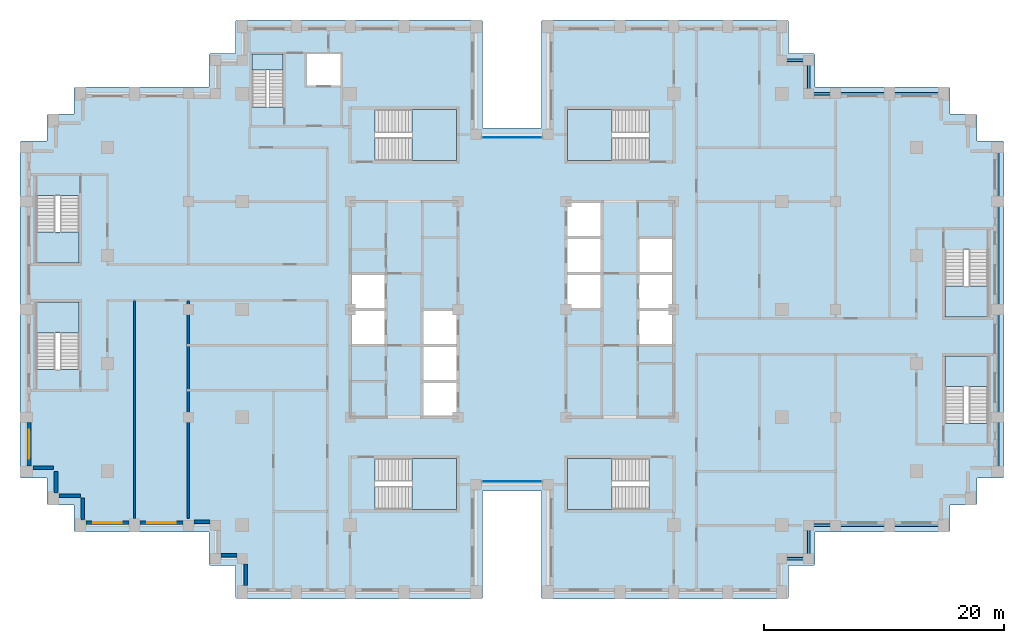
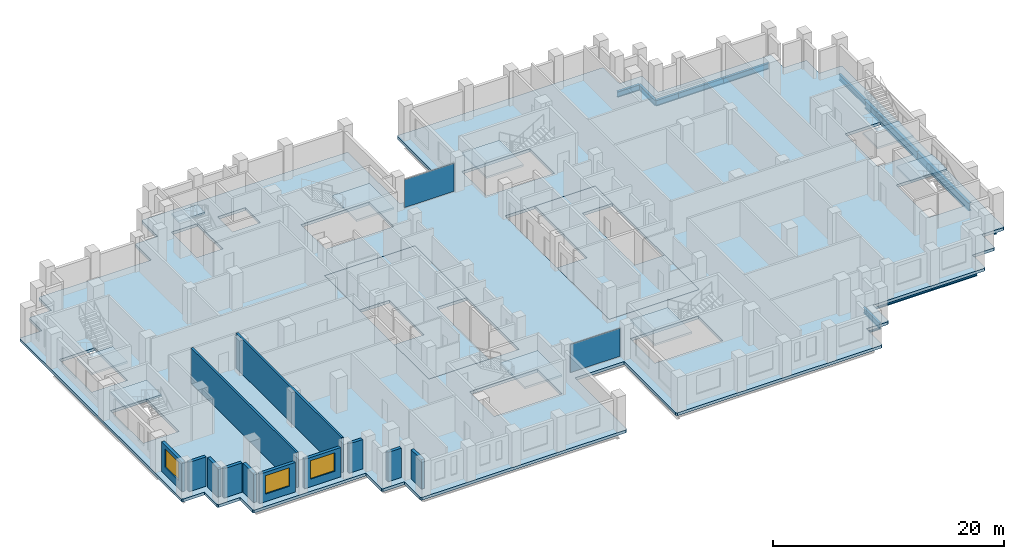
# One storey, part 5 of 15: 14 beams, 12 slabs, 12 walls, 3 windows, 2 plates, 3 openings, 11 elements without a shape of their own.
"""IFC4 building model written with IfcOpenShell, lengths in metres."""

import ifcopenshell
import ifcopenshell.guid

model = None  # the IFC model being written
_history = None  # IfcOwnerHistory: only IFC2X3 demands one
_inside = {}  # id of a spatial element -> (the spatial element, [elements in it])
_under = {}  # id of a project, library or spatial element -> (it, [spatial elements below it])
_declared = {}  # id of a project -> (the project, [libraries it declares])
_typed = {}  # id of a type object -> (the type object, [elements of that type])
_made_of = {}  # id of a material, layer set ... -> (it, [elements and type objects made of it])


def new_model(schema):
    """Start an empty IFC model of exactly this schema.

    Asked for "IFC4X3", IfcOpenShell would pick the latest addendum, in which some entities
    have other attributes; the version numbers below select the first issue.
    IFC2X3 requires an IfcOwnerHistory on every rooted entity: one is made here for all.
    """
    global model, _history
    if schema == "IFC4X3":
        model = ifcopenshell.file(schema_version=(4, 3, 0, 0))
    else:
        model = ifcopenshell.file(schema=schema)
    _inside.clear()
    _under.clear()
    _declared.clear()
    _typed.clear()
    _made_of.clear()
    _history = None
    if model.schema == "IFC2X3":
        org = make("IfcOrganization", Name="unknown")
        user = make(
            "IfcPersonAndOrganization",
            ThePerson=make("IfcPerson", FamilyName="unknown"),
            TheOrganization=org,
        )
        app = make(
            "IfcApplication",
            ApplicationDeveloper=org,
            Version="unknown",
            ApplicationFullName="unknown",
            ApplicationIdentifier="unknown",
        )
        _history = make(
            "IfcOwnerHistory",
            OwningUser=user,
            OwningApplication=app,
            ChangeAction="ADDED",
            CreationDate=0,
        )
    return model


def make(cls, **values):
    """One entity of the class cls with the attributes given. An attribute that is None is left unset."""
    return model.create_entity(
        cls, **{name: value for name, value in values.items() if value is not None}
    )


def rooted(cls, **values):
    """An entity with a GlobalId (a new one), such as an element, a storey or a relation."""
    return make(cls, GlobalId=ifcopenshell.guid.new(), OwnerHistory=_history, **values)


def si_unit(unit_type, name, prefix=None):
    """IfcSIUnit, for example si_unit("LENGTHUNIT", "METRE", prefix="MILLI")."""
    return make("IfcSIUnit", UnitType=unit_type, Prefix=prefix, Name=name)


def assignment(units):
    """IfcUnitAssignment: the units of a project."""
    return None if units is None else make("IfcUnitAssignment", Units=units)


def point(xyz):
    """IfcCartesianPoint."""
    return None if xyz is None else make("IfcCartesianPoint", Coordinates=xyz)


def direction(xyz):
    """IfcDirection."""
    return None if xyz is None else make("IfcDirection", DirectionRatios=xyz)


def frame(location, z_axis=None, x_axis=None):
    """IfcAxis2Placement3D, a coordinate frame: its origin and axes. An axis left out is left unset."""
    return make(
        "IfcAxis2Placement3D",
        Location=point(location),
        Axis=direction(z_axis),
        RefDirection=direction(x_axis),
    )


def frame_2d(location, x_axis=None):
    """IfcAxis2Placement2D, a coordinate frame in the plane: its origin and x axis."""
    return make(
        "IfcAxis2Placement2D", Location=point(location), RefDirection=direction(x_axis)
    )


def origin():
    """The frame at (0, 0, 0) with its axes left unset."""
    return frame((0.0, 0.0, 0.0))


def origin_2d():
    """The frame at (0, 0) in the plane with its x axis left unset."""
    return frame_2d((0.0, 0.0))


def place(relative_to, where):
    """IfcLocalPlacement: puts the frame where relative to a parent placement (None: the world)."""
    return make(
        "IfcLocalPlacement", PlacementRelTo=relative_to, RelativePlacement=where
    )


def context(
    kind, dimensions, precision=None, world=None, true_north=None, identifier=None
):
    """IfcGeometricRepresentationContext, for example the 3D "Model" context."""
    return make(
        "IfcGeometricRepresentationContext",
        ContextIdentifier=identifier,
        ContextType=kind,
        CoordinateSpaceDimension=dimensions,
        Precision=precision,
        WorldCoordinateSystem=world,
        TrueNorth=true_north,
    )


def subcontext(parent, identifier, kind, view, scale=None):
    """IfcGeometricRepresentationSubContext, for example "Body" below "Model"."""
    return make(
        "IfcGeometricRepresentationSubContext",
        ContextIdentifier=identifier,
        ContextType=kind,
        ParentContext=parent,
        TargetScale=scale,
        TargetView=view,
    )


def project(units=None, contexts=None):
    """IfcProject with its units and contexts."""
    return rooted(
        "IfcProject",
        Name="project",
        RepresentationContexts=contexts,
        UnitsInContext=assignment(units),
    )


def spatial(cls, under=None, at=None, **own):
    """A site, building, storey or space (cls), placed at a placement, below another one or the project."""
    s = rooted(cls, ObjectPlacement=at, **own)
    if under is not None:
        _under.setdefault(under.id(), (under, []))[1].append(s)
    return s


def polyline(points):
    """IfcPolyline through the points."""
    return make("IfcPolyline", Points=[point(p) for p in points])


def profile(cls, at=None, kind="AREA", **sizes):
    """A parametric profile (cls). Its sizes go by their IFC names, for example OverallWidth=200.0."""
    return make(cls, ProfileType=kind, Position=at, **sizes)


def rectangle(**sizes):
    """IfcRectangleProfileDef."""
    return profile("IfcRectangleProfileDef", **sizes)


def i_section(**sizes):
    """IfcIShapeProfileDef."""
    return profile("IfcIShapeProfileDef", **sizes)


def outline(outer, holes=None, kind="AREA"):
    """IfcArbitraryClosedProfileDef: a profile drawn as a closed curve; with holes, ...WithVoids."""
    if holes is None:
        return make("IfcArbitraryClosedProfileDef", ProfileType=kind, OuterCurve=outer)
    return make(
        "IfcArbitraryProfileDefWithVoids",
        ProfileType=kind,
        OuterCurve=outer,
        InnerCurves=holes,
    )


def extrude(swept, where, along, depth):
    """IfcExtrudedAreaSolid: the profile swept, set in the frame where, extruded along a direction by depth."""
    return make(
        "IfcExtrudedAreaSolid",
        SweptArea=swept,
        Position=where,
        ExtrudedDirection=direction(along),
        Depth=depth,
    )


def shape(context_of_items, identifier, shape_type, items):
    """IfcShapeRepresentation: the items that make up one representation, for example the "Body"."""
    return make(
        "IfcShapeRepresentation",
        ContextOfItems=context_of_items,
        RepresentationIdentifier=identifier,
        RepresentationType=shape_type,
        Items=items,
    )


def material(Name=None, Category=None):
    """IfcMaterial."""
    return make("IfcMaterial", Name=Name, Category=Category)


def layer(
    of_material, thickness, ventilated=None, Name=None, Category=None, Priority=None
):
    """IfcMaterialLayer: one layer of a wall or slab, of a material (None: an air gap)."""
    return make(
        "IfcMaterialLayer",
        Material=of_material,
        LayerThickness=thickness,
        IsVentilated=ventilated,
        Name=Name,
        Category=Category,
        Priority=Priority,
    )


def layer_set(layers, Name=None):
    """IfcMaterialLayerSet."""
    return make("IfcMaterialLayerSet", MaterialLayers=layers, LayerSetName=Name)


def material_profile(
    of_material, cross_section, Name=None, Category=None, Priority=None
):
    """IfcMaterialProfile: a cross section and its material."""
    return make(
        "IfcMaterialProfile",
        Name=Name,
        Material=of_material,
        Profile=cross_section,
        Priority=Priority,
        Category=Category,
    )


def profile_set(profiles, Name=None, composite=None):
    """IfcMaterialProfileSet."""
    return make(
        "IfcMaterialProfileSet",
        Name=Name,
        MaterialProfiles=profiles,
        CompositeProfile=composite,
    )


def made_of(thing, what):
    """Note that an element or type object is made of a material, layer set ...; save() writes the relation."""
    if what is not None:
        _made_of.setdefault(what.id(), (what, []))[1].append(thing)
    return thing


def type_object(cls, material=None, **own):
    """A type object (cls), such as IfcWallType, which elements share."""
    return made_of(rooted(cls, **own), material)


def element(
    cls,
    number,
    at=None,
    inside=None,
    cuts=None,
    type_object=None,
    material=None,
    context=None,
    identifier="Body",
    shape_type=None,
    held_by="IfcProductDefinitionShape",
    body=None,
    shapes=None,
    **own,
):
    """One element of the class cls, such as IfcWall. Its Tag is "e" and its number.

    at: its placement. inside: the storey or other place that contains it. cuts: it is an
    opening in that element (IfcRelVoidsElement). A single representation is given by context,
    identifier, shape_type and body (its items); several are given by shapes. held_by: the class
    of the entity that holds the representations. save() writes the other relations.
    """
    e = rooted(cls, Tag="e%d" % number, ObjectPlacement=at, **own)
    if body is not None:
        shapes = [shape(context, identifier, shape_type, body)]
    if shapes is not None:
        e.Representation = make(held_by, Representations=shapes)
    if inside is not None:
        _inside.setdefault(inside.id(), (inside, []))[1].append(e)
    if cuts is not None:
        rooted(
            "IfcRelVoidsElement", RelatingBuildingElement=cuts, RelatedOpeningElement=e
        )
    if type_object is not None:
        _typed.setdefault(type_object.id(), (type_object, []))[1].append(e)
    return made_of(e, material)


def fill(opening, filler):
    """IfcRelFillsElement: the door or window that sits in an opening."""
    return rooted(
        "IfcRelFillsElement",
        RelatingOpeningElement=opening,
        RelatedBuildingElement=filler,
    )


def aggregate(whole, parts):
    """IfcRelAggregates: a whole, such as a stair, and the parts it consists of."""
    return rooted("IfcRelAggregates", RelatingObject=whole, RelatedObjects=parts)


def save(model, path):
    """Write the relations noted so far, then the file.

    IfcRelAggregates (storeys below a building ...), IfcRelContainedInSpatialStructure (elements
    in a storey), IfcRelDefinesByType, IfcRelAssociatesMaterial and IfcRelDeclares: one each for
    every whole, place, type object, material and project.
    """
    for whole, parts in _under.values():
        aggregate(whole, parts)
    for where, things in _inside.values():
        rooted(
            "IfcRelContainedInSpatialStructure",
            RelatedElements=things,
            RelatingStructure=where,
        )
    for kind, things in _typed.values():
        rooted("IfcRelDefinesByType", RelatedObjects=things, RelatingType=kind)
    for what, things in _made_of.values():
        rooted("IfcRelAssociatesMaterial", RelatedObjects=things, RelatingMaterial=what)
    for by, libraries in _declared.values():
        rooted("IfcRelDeclares", RelatingContext=by, RelatedDefinitions=libraries)
    model.write(path)


model = new_model("IFC4")

# Units and contexts
model_context = context("Model", 3, precision=1e-05, world=origin(), true_north=direction((0.0, 1.0)))
body_context = subcontext(model_context, "Body", "Model", "MODEL_VIEW")
ifc_project = project(units=[si_unit("LENGTHUNIT", "METRE"), si_unit("AREAUNIT", "SQUARE_METRE"), si_unit("VOLUMEUNIT", "CUBIC_METRE"), si_unit("PLANEANGLEUNIT", "RADIAN"), si_unit("MASSUNIT", "GRAM", prefix="KILO")], contexts=[model_context])

# Site, building, storey
site_placement = place(None, origin())
site = spatial("IfcSite", under=ifc_project, at=site_placement, CompositionType="ELEMENT")
building_placement = place(site_placement, origin())
building = spatial("IfcBuilding", under=site, at=building_placement, Name="Corbelhall Arena Tower", CompositionType="ELEMENT")
storey_placement = place(building_placement, frame((0.0, 0.0, 134.0)))
storey = spatial("IfcBuildingStorey", under=building, at=storey_placement, Name="L25", CompositionType="ELEMENT", Elevation=134.0)

# Beams
ifc_material_1 = material(Name="Steel ASTM A992 Gr50", Category="steel")
ifc_material_profile_1 = material_profile(ifc_material_1, i_section(OverallWidth=0.22900390625, OverallDepth=0.612060546875, WebThickness=0.011962890625, FlangeThickness=0.01953125, at=origin_2d()))
ifc_profile_set_1 = profile_set([ifc_material_profile_1], Name="Steel ASTM A992 Gr50")
beam_type_1 = type_object("IfcBeamType", Name="ST-SPANDREL-W24x84", PredefinedType="SPANDREL", material=ifc_profile_set_1)
for number, where, z_axis, x_axis, name in (
    (1, (40.5, 13.5, -0.60595703125), (0.0, -1.0, 0.0), (1.0, 0.0, 0.0), "Beam SP 10"),
    (2, (40.5, -9.0, -0.60595703125), (0.0, -1.0, 0.0), (1.0, 0.0, 0.0), "Beam SP 11"),
    (3, (31.5, 18.0, -0.60595703125), (1.0, 0.0, 0.0), (0.0, 1.0, 0.0), "Beam SP 12"),
    (4, (31.5, -18.0, -0.60595703125), (-1.0, 0.0, 0.0), (0.0, -1.0, 0.0), "Beam SP 13"),
    (5, (36.0, -18.0, -0.60595703125), (-1.0, 0.0, 0.0), (0.0, -1.0, 0.0), "Beam SP 14"),
    (6, (27.0, 18.0, -0.60595703125), (1.0, 0.0, 0.0), (0.0, 1.0, 0.0), "Beam SP 15"),
):
    element("IfcBeam", number, at=place(storey_placement, frame(where, z_axis=z_axis, x_axis=x_axis)), inside=storey, type_object=beam_type_1, Name=name, PredefinedType="SPANDREL", context=body_context, shape_type="SweptSolid", body=[
        extrude(i_section(OverallWidth=0.22900390625, OverallDepth=0.612060546875, WebThickness=0.011962890625, FlangeThickness=0.01953125, at=origin_2d()), origin(), (0.0, 0.0, 1.0), 4.5),
    ])
for number, where, z_axis, x_axis, name in (
    (7, (27.0, -18.0, -0.60595703125), (-1.0, 0.0, 0.0), (0.0, -1.0, 0.0), "Beam SP 16"),
    (8, (22.5, 20.800048828125, -0.60595703125), (1.0, 0.0, 0.0), (0.0, 1.0, 0.0), "Beam SP 43"),
):
    element("IfcBeam", number, at=place(storey_placement, frame(where, z_axis=z_axis, x_axis=x_axis)), inside=storey, type_object=beam_type_1, Name=name, PredefinedType="SPANDREL", context=body_context, shape_type="SweptSolid", body=[
        extrude(i_section(OverallWidth=0.22900390625, OverallDepth=0.612060546875, WebThickness=0.011962890625, FlangeThickness=0.01953125, at=origin_2d()), origin(), (0.0, 0.0, 1.0), 2.25),
    ])
beam_1_placement = place(storey_placement, frame((24.75, 20.800048828125, -0.60595703125), z_axis=(0.0, -1.0, 0.0), x_axis=(1.0, 0.0, 0.0)))
element("IfcBeam", 9, at=beam_1_placement, inside=storey, type_object=beam_type_1, Name="Beam SP 44", PredefinedType="SPANDREL", context=body_context, shape_type="SweptSolid", body=[
    extrude(i_section(OverallWidth=0.22900390625, OverallDepth=0.612060546875, WebThickness=0.011962890625, FlangeThickness=0.01953125, at=origin_2d()), origin(), (0.0, 0.0, 1.0), 2.800048828125),
])
for number, where, z_axis, x_axis, name in (
    (10, (24.75, 18.0, -0.60595703125), (1.0, 0.0, 0.0), (0.0, 1.0, 0.0), "Beam SP 45"),
    (11, (24.75, -20.800048828125, -0.60595703125), (-1.0, 0.0, 0.0), (0.0, -1.0, 0.0), "Beam SP 50"),
):
    element("IfcBeam", number, at=place(storey_placement, frame(where, z_axis=z_axis, x_axis=x_axis)), inside=storey, type_object=beam_type_1, Name=name, PredefinedType="SPANDREL", context=body_context, shape_type="SweptSolid", body=[
        extrude(i_section(OverallWidth=0.22900390625, OverallDepth=0.612060546875, WebThickness=0.011962890625, FlangeThickness=0.01953125, at=origin_2d()), origin(), (0.0, 0.0, 1.0), 2.25),
    ])
beam_2_placement = place(storey_placement, frame((24.75, -18.0, -0.60595703125), z_axis=(0.0, -1.0, 0.0), x_axis=(1.0, 0.0, 0.0)))
element("IfcBeam", 12, at=beam_2_placement, inside=storey, type_object=beam_type_1, Name="Beam SP 51", PredefinedType="SPANDREL", context=body_context, shape_type="SweptSolid", body=[
    extrude(i_section(OverallWidth=0.22900390625, OverallDepth=0.612060546875, WebThickness=0.011962890625, FlangeThickness=0.01953125, at=origin_2d()), origin(), (0.0, 0.0, 1.0), 2.800048828125),
])
ifc_material_profile_2 = material_profile(ifc_material_1, i_section(OverallWidth=0.2919921875, OverallDepth=0.845703125, WebThickness=0.015380859375, FlangeThickness=0.0244140625, at=origin_2d()))
ifc_profile_set_2 = profile_set([ifc_material_profile_2], Name="Steel ASTM A992 Gr50")
beam_type_2 = type_object("IfcBeamType", Name="ST-SPANDREL-W33x141", PredefinedType="SPANDREL", material=ifc_profile_set_2)
for number, where, z_axis, x_axis, name in (
    (13, (40.5, 0.0, -0.722900390625), (0.0, -1.0, 0.0), (1.0, 0.0, 0.0), "Beam SP 8"),
    (14, (40.5, 9.0, -0.722900390625), (0.0, -1.0, 0.0), (1.0, 0.0, 0.0), "Beam SP 9"),
):
    element("IfcBeam", number, at=place(storey_placement, frame(where, z_axis=z_axis, x_axis=x_axis)), inside=storey, type_object=beam_type_2, Name=name, PredefinedType="SPANDREL", context=body_context, shape_type="SweptSolid", body=[
        extrude(i_section(OverallWidth=0.2919921875, OverallDepth=0.845703125, WebThickness=0.015380859375, FlangeThickness=0.0244140625, at=origin_2d()), origin(), (0.0, 0.0, 1.0), 9.0),
    ])

# Curtain wall, plate
ifc_material_2 = material(Name="Aluminium black anodised", Category="aluminium")
ifc_layer_1 = layer(ifc_material_2, 0.199951171875)
ifc_layer_set_1 = layer_set([ifc_layer_1], Name="EV-CW1 Slot back wall")
curtain_wall_type = type_object("IfcCurtainWallType", Name="EV-CW1 Slot back wall", PredefinedType="NOTDEFINED", material=ifc_layer_set_1)
curtain_wall_1_placement = place(storey_placement, origin())
curtain_wall_1 = element("IfcCurtainWall", 15, at=curtain_wall_1_placement, inside=storey, type_object=curtain_wall_type, Name="Curtain wall CW1", PredefinedType="NOTDEFINED")
ifc_material_3 = material(Name="Glass dark tinted laminated", Category="glass")
ifc_layer_2 = layer(ifc_material_3, 0.028076171875)
ifc_layer_set_2 = layer_set([ifc_layer_2], Name="EV-CW1-PANEL")
plate_type = type_object("IfcPlateType", Name="EV-CW1-PANEL", PredefinedType="CURTAIN_PANEL", material=ifc_layer_set_2)
plate_1_placement = place(storey_placement, frame((0.0, -14.35009765625, 0.0751953125), z_axis=(0.0, 0.0, 1.0), x_axis=(1.0, 0.0, 0.0)))
plate_1 = element("IfcPlate", 16, at=plate_1_placement, type_object=plate_type, Name="CW1 panel 1.1", PredefinedType="CURTAIN_PANEL", context=body_context, shape_type="SweptSolid", body=[
    extrude(rectangle(XDim=4.949951171875, YDim=0.028076171875, at=origin_2d()), origin(), (0.0, 0.0, 1.0), 2.949951171875),
])
aggregate(curtain_wall_1, [plate_1])

curtain_wall_2_placement = place(storey_placement, origin())
curtain_wall_2 = element("IfcCurtainWall", 17, at=curtain_wall_2_placement, inside=storey, type_object=curtain_wall_type, Name="Curtain wall CW1", PredefinedType="NOTDEFINED")
plate_2_placement = place(storey_placement, frame((0.0, 14.35009765625, 0.0751953125), z_axis=(0.0, 0.0, 1.0), x_axis=(-1.0, 0.0, 0.0)))
plate_2 = element("IfcPlate", 18, at=plate_2_placement, type_object=plate_type, Name="CW1 panel 1.1", PredefinedType="CURTAIN_PANEL", context=body_context, shape_type="SweptSolid", body=[
    extrude(rectangle(XDim=4.949951171875, YDim=0.028076171875, at=origin_2d()), origin(), (0.0, 0.0, 1.0), 2.949951171875),
])
aggregate(curtain_wall_2, [plate_2])

# Slabs
ifc_material_4 = material(Name="Concrete C40/50", Category="concrete")
ifc_layer_3 = layer(ifc_material_4, 0.300048828125)
ifc_layer_set_3 = layer_set([ifc_layer_3], Name="IN-SL-CORE")
slab_type_1 = type_object("IfcSlabType", Name="IN-SL-CORE", PredefinedType="FLOOR", material=ifc_layer_set_3)
slab_1_placement = place(storey_placement, frame((0.0, 0.0, -0.300048828125)))
element("IfcSlab", 19, at=slab_1_placement, inside=storey, type_object=slab_type_1, Name="Core floor W", PredefinedType="FLOOR", context=body_context, shape_type="SweptSolid", body=[
    extrude(outline(polyline([(-7.5, 0.0), (-4.5, 0.0), (-4.5, 9.0), (-13.5, 9.0), (-13.5, 3.0), (-10.5, 3.0), (-10.5, 0.0), (-10.5, -3.0), (-13.5, -3.0), (-13.5, -9.0), (-7.5, -9.0), (-7.5, -6.0), (-7.5, -3.0), (-7.5, 0.0)])), origin(), (0.0, 0.0, 1.0), 0.300048828125),
])
slab_2_placement = place(storey_placement, frame((0.0, 0.0, -0.300048828125)))
element("IfcSlab", 20, at=slab_2_placement, inside=storey, type_object=slab_type_1, Name="Core floor E", PredefinedType="FLOOR", context=body_context, shape_type="SweptSolid", body=[
    extrude(outline(polyline([(7.5, 0.0), (4.5, 0.0), (4.5, -9.0), (13.5, -9.0), (13.5, -3.0), (10.5, -3.0), (10.5, 0.0), (10.5, 3.0), (10.5, 6.0), (13.5, 6.0), (13.5, 9.0), (7.5, 9.0), (7.5, 6.0), (7.5, 3.0), (7.5, 0.0)])), origin(), (0.0, 0.0, 1.0), 0.300048828125),
])

# Stair, slab
stair_type = type_object("IfcStairType", Name="IN-ST-TOWER", PredefinedType="HALF_TURN_STAIR", material=ifc_material_4)
stair_1_placement = place(storey_placement, origin())
stair_1 = element("IfcStair", 21, at=stair_1_placement, inside=storey, type_object=stair_type, Name="L25 Exit stair ST1", PredefinedType="HALF_TURN_STAIR")
ifc_layer_4 = layer(ifc_material_4, 0.199951171875)
ifc_layer_set_4 = layer_set([ifc_layer_4], Name="IN-SL-LANDING")
slab_type_2 = type_object("IfcSlabType", Name="IN-SL-LANDING", PredefinedType="LANDING", material=ifc_layer_set_4)
slab_3_placement = place(storey_placement, frame((0.0, 0.0, 1.800048828125)))
slab_3 = element("IfcSlab", 22, at=slab_3_placement, type_object=slab_type_2, Name="ST1 landing 1", PredefinedType="LANDING", context=body_context, shape_type="SweptSolid", body=[
    extrude(outline(polyline([(-8.344970703125, 12.425048828125), (-4.625, 12.425048828125), (-4.625, 16.675048828125), (-8.344970703125, 16.675048828125), (-8.344970703125, 12.425048828125)])), origin(), (0.0, 0.0, 1.0), 0.199951171875),
])
aggregate(stair_1, [slab_3])

stair_2_placement = place(storey_placement, origin())
stair_2 = element("IfcStair", 23, at=stair_2_placement, inside=storey, type_object=stair_type, Name="L25 Exit stair ST2", PredefinedType="HALF_TURN_STAIR")
slab_4_placement = place(storey_placement, frame((0.0, 0.0, 1.800048828125)))
slab_4 = element("IfcSlab", 24, at=slab_4_placement, type_object=slab_type_2, Name="ST2 landing 1", PredefinedType="LANDING", context=body_context, shape_type="SweptSolid", body=[
    extrude(outline(polyline([(-8.344970703125, -16.675048828125), (-4.625, -16.675048828125), (-4.625, -12.425048828125), (-8.344970703125, -12.425048828125), (-8.344970703125, -16.675048828125)])), origin(), (0.0, 0.0, 1.0), 0.199951171875),
])
aggregate(stair_2, [slab_4])

stair_3_placement = place(storey_placement, origin())
stair_3 = element("IfcStair", 25, at=stair_3_placement, inside=storey, type_object=stair_type, Name="L25 Exit stair ST3", PredefinedType="HALF_TURN_STAIR")
slab_5_placement = place(storey_placement, frame((0.0, 0.0, 1.800048828125)))
slab_5 = element("IfcSlab", 26, at=slab_5_placement, type_object=slab_type_2, Name="ST3 landing 1", PredefinedType="LANDING", context=body_context, shape_type="SweptSolid", body=[
    extrude(outline(polyline([(8.344970703125, 16.675048828125), (4.625, 16.675048828125), (4.625, 12.425048828125), (8.344970703125, 12.425048828125), (8.344970703125, 16.675048828125)])), origin(), (0.0, 0.0, 1.0), 0.199951171875),
])
aggregate(stair_3, [slab_5])

stair_4_placement = place(storey_placement, origin())
stair_4 = element("IfcStair", 27, at=stair_4_placement, inside=storey, type_object=stair_type, Name="L25 Exit stair ST4", PredefinedType="HALF_TURN_STAIR")
slab_6_placement = place(storey_placement, frame((0.0, 0.0, 1.800048828125)))
slab_6 = element("IfcSlab", 28, at=slab_6_placement, type_object=slab_type_2, Name="ST4 landing 1", PredefinedType="LANDING", context=body_context, shape_type="SweptSolid", body=[
    extrude(outline(polyline([(8.344970703125, -12.425048828125), (4.625, -12.425048828125), (4.625, -16.675048828125), (8.344970703125, -16.675048828125), (8.344970703125, -12.425048828125)])), origin(), (0.0, 0.0, 1.0), 0.199951171875),
])
aggregate(stair_4, [slab_6])

stair_5_placement = place(storey_placement, origin())
stair_5 = element("IfcStair", 29, at=stair_5_placement, inside=storey, type_object=stair_type, Name="L25 Exit stair SC1", PredefinedType="HALF_TURN_STAIR")
slab_7_placement = place(storey_placement, frame((0.0, 0.0, 1.800048828125)))
slab_7 = element("IfcSlab", 30, at=slab_7_placement, type_object=slab_type_2, Name="SC1 landing 1", PredefinedType="LANDING", context=body_context, shape_type="SweptSolid", body=[
    extrude(outline(polyline([(-39.699951171875, 6.445068359375), (-39.699951171875, 3.875), (-36.125, 3.875), (-36.125, 6.445068359375), (-39.699951171875, 6.445068359375)])), origin(), (0.0, 0.0, 1.0), 0.199951171875),
])
aggregate(stair_5, [slab_7])

stair_6_placement = place(storey_placement, origin())
stair_6 = element("IfcStair", 31, at=stair_6_placement, inside=storey, type_object=stair_type, Name="L25 Exit stair SC2", PredefinedType="HALF_TURN_STAIR")
slab_8_placement = place(storey_placement, frame((0.0, 0.0, 1.800048828125)))
slab_8 = element("IfcSlab", 32, at=slab_8_placement, type_object=slab_type_2, Name="SC2 landing 1", PredefinedType="LANDING", context=body_context, shape_type="SweptSolid", body=[
    extrude(outline(polyline([(-36.125, -1.945068359375), (-36.125, 0.625), (-39.699951171875, 0.625), (-39.699951171875, -1.945068359375), (-36.125, -1.945068359375)])), origin(), (0.0, 0.0, 1.0), 0.199951171875),
])
aggregate(stair_6, [slab_8])

stair_7_placement = place(storey_placement, origin())
stair_7 = element("IfcStair", 33, at=stair_7_placement, inside=storey, type_object=stair_type, Name="L25 Exit stair SD1", PredefinedType="HALF_TURN_STAIR")
slab_9_placement = place(storey_placement, frame((0.0, 0.0, 1.800048828125)))
slab_9 = element("IfcSlab", 34, at=slab_9_placement, type_object=slab_type_2, Name="SD1 landing 1", PredefinedType="LANDING", context=body_context, shape_type="SweptSolid", body=[
    extrude(outline(polyline([(39.699951171875, -6.445068359375), (39.699951171875, -3.875), (36.125, -3.875), (36.125, -6.445068359375), (39.699951171875, -6.445068359375)])), origin(), (0.0, 0.0, 1.0), 0.199951171875),
])
aggregate(stair_7, [slab_9])

stair_8_placement = place(storey_placement, origin())
stair_8 = element("IfcStair", 35, at=stair_8_placement, inside=storey, type_object=stair_type, Name="L25 Exit stair SD2", PredefinedType="HALF_TURN_STAIR")
slab_10_placement = place(storey_placement, frame((0.0, 0.0, 1.800048828125)))
slab_10 = element("IfcSlab", 36, at=slab_10_placement, type_object=slab_type_2, Name="SD2 landing 1", PredefinedType="LANDING", context=body_context, shape_type="SweptSolid", body=[
    extrude(outline(polyline([(36.125, 1.945068359375), (36.125, -0.625), (39.699951171875, -0.625), (39.699951171875, 1.945068359375), (36.125, 1.945068359375)])), origin(), (0.0, 0.0, 1.0), 0.199951171875),
])
aggregate(stair_8, [slab_10])

stair_9_placement = place(storey_placement, origin())
stair_9 = element("IfcStair", 37, at=stair_9_placement, inside=storey, type_object=stair_type, Name="L25 Exit stair ST5", PredefinedType="HALF_TURN_STAIR")
slab_11_placement = place(storey_placement, frame((0.0, 0.0, 1.800048828125)))
slab_11 = element("IfcSlab", 38, at=slab_11_placement, type_object=slab_type_2, Name="ST5 landing 1", PredefinedType="LANDING", context=body_context, shape_type="SweptSolid", body=[
    extrude(outline(polyline([(-19.094970703125, 19.97998046875), (-19.094970703125, 21.300048828125), (-21.695068359375, 21.300048828125), (-21.695068359375, 19.97998046875), (-19.094970703125, 19.97998046875)])), origin(), (0.0, 0.0, 1.0), 0.199951171875),
])
aggregate(stair_9, [slab_11])

# Slab
ifc_layer_5 = layer(ifc_material_4, 0.300048828125)
ifc_layer_set_5 = layer_set([ifc_layer_5], Name="ST-SLAB-FLOOR-300")
slab_type_3 = type_object("IfcSlabType", Name="ST-SLAB-FLOOR-300", PredefinedType="FLOOR", material=ifc_layer_set_5)
slab_12_placement = place(storey_placement, frame((0.0, 0.0, -0.300048828125)))
element("IfcSlab", 39, at=slab_12_placement, inside=storey, type_object=slab_type_3, Name="Floor slab L25 1", PredefinedType="FLOOR", context=body_context, shape_type="SweptSolid", body=[
    extrude(outline(polyline([(25.300048828125, 18.550048828125), (25.300048828125, 21.25), (25.199951171875, 21.35009765625), (23.050048828125, 21.35009765625), (23.050048828125, 24.050048828125), (22.949951171875, 24.14990234375), (2.550048828125, 24.14990234375), (2.449951171875, 24.050048828125), (2.449951171875, 15.14990234375), (-2.449951171875, 15.14990234375), (-2.449951171875, 24.050048828125), (-2.550048828125, 24.14990234375), (-22.949951171875, 24.14990234375), (-23.050048828125, 24.050048828125), (-23.050048828125, 21.35009765625), (-25.199951171875, 21.35009765625), (-25.300048828125, 21.25), (-25.300048828125, 18.550048828125), (-36.449951171875, 18.550048828125), (-36.550048828125, 18.449951171875), (-36.550048828125, 16.300048828125), (-38.699951171875, 16.300048828125), (-38.800048828125, 16.199951171875), (-38.800048828125, 14.050048828125), (-40.949951171875, 14.050048828125), (-41.050048828125, 13.949951171875), (-41.050048828125, -13.949951171875), (-40.949951171875, -14.050048828125), (-38.800048828125, -14.050048828125), (-38.800048828125, -16.199951171875), (-38.699951171875, -16.300048828125), (-36.550048828125, -16.300048828125), (-36.550048828125, -18.449951171875), (-36.449951171875, -18.550048828125), (-25.300048828125, -18.550048828125), (-25.300048828125, -21.25), (-25.199951171875, -21.35009765625), (-23.050048828125, -21.35009765625), (-23.050048828125, -24.050048828125), (-22.949951171875, -24.14990234375), (-2.550048828125, -24.14990234375), (-2.449951171875, -24.050048828125), (-2.449951171875, -15.14990234375), (2.449951171875, -15.14990234375), (2.449951171875, -24.050048828125), (2.550048828125, -24.14990234375), (22.949951171875, -24.14990234375), (23.050048828125, -24.050048828125), (23.050048828125, -21.35009765625), (25.199951171875, -21.35009765625), (25.300048828125, -21.25), (25.300048828125, -18.550048828125), (36.449951171875, -18.550048828125), (36.550048828125, -18.449951171875), (36.550048828125, -16.300048828125), (38.699951171875, -16.300048828125), (38.800048828125, -16.199951171875), (38.800048828125, -14.050048828125), (40.949951171875, -14.050048828125), (41.050048828125, -13.949951171875), (41.050048828125, 13.949951171875), (40.949951171875, 14.050048828125), (38.800048828125, 14.050048828125), (38.800048828125, 16.199951171875), (38.699951171875, 16.300048828125), (36.550048828125, 16.300048828125), (36.550048828125, 18.449951171875), (36.449951171875, 18.550048828125), (25.300048828125, 18.550048828125)]), holes=[polyline([(-13.5, 9.0), (-13.5, -9.0), (-4.5, -9.0), (-4.5, 9.0), (-13.5, 9.0)]), polyline([(4.5, 9.0), (4.5, -9.0), (13.5, -9.0), (13.5, 9.0), (4.5, 9.0)]), polyline([(-4.625, 16.675048828125), (-11.422119140625, 16.675048828125), (-11.422119140625, 12.425048828125), (-4.625, 12.425048828125), (-4.625, 16.675048828125)]), polyline([(-4.625, -16.675048828125), (-4.625, -12.425048828125), (-11.422119140625, -12.425048828125), (-11.422119140625, -16.675048828125), (-4.625, -16.675048828125)]), polyline([(11.422119140625, 16.675048828125), (4.625, 16.675048828125), (4.625, 12.425048828125), (11.422119140625, 12.425048828125), (11.422119140625, 16.675048828125)]), polyline([(11.422119140625, -16.675048828125), (11.422119140625, -12.425048828125), (4.625, -12.425048828125), (4.625, -16.675048828125), (11.422119140625, -16.675048828125)]), polyline([(-36.125, 3.875), (-36.125, 9.52197265625), (-39.699951171875, 9.52197265625), (-39.699951171875, 3.875), (-36.125, 3.875)]), polyline([(-36.125, 0.625), (-39.699951171875, 0.625), (-39.699951171875, -5.02197265625), (-36.125, -5.02197265625), (-36.125, 0.625)]), polyline([(39.699951171875, -9.52197265625), (39.699951171875, -3.875), (36.125, -3.875), (36.125, -9.52197265625), (39.699951171875, -9.52197265625)]), polyline([(39.699951171875, 5.02197265625), (36.125, 5.02197265625), (36.125, -0.625), (39.699951171875, -0.625), (39.699951171875, 5.02197265625)]), polyline([(-21.695068359375, 21.300048828125), (-21.695068359375, 16.903076171875), (-19.094970703125, 16.903076171875), (-19.094970703125, 21.300048828125), (-21.695068359375, 21.300048828125)]), polyline([(-14.300048828125, 21.300048828125), (-17.10009765625, 21.300048828125), (-17.10009765625, 18.699951171875), (-14.300048828125, 18.699951171875), (-14.300048828125, 21.300048828125)])]), origin(), (0.0, 0.0, 1.0), 0.300048828125),
])

# Walls
ifc_material_5 = material(Name="Precast concrete C40/50 with granite facing", Category="masonry")
ifc_layer_6 = layer(ifc_material_5, 0.300048828125)
ifc_layer_set_6 = layer_set([ifc_layer_6], Name="EV-IW1 Infill panel 300")
wall_type_1 = type_object("IfcWallType", Name="EV-IW1 Infill panel 300", PredefinedType="SOLIDWALL", material=ifc_layer_set_6)
wall_1_placement = place(storey_placement, frame((-39.949951171875, -13.199951171875, 0.0), z_axis=(0.0, 0.0, 1.0), x_axis=(1.0, 0.0, 0.0)))
element("IfcWall", 40, at=wall_1_placement, inside=storey, type_object=wall_type_1, Name="Infill panel IW1", PredefinedType="SOLIDWALL", context=body_context, shape_type="SweptSolid", body=[
    extrude(rectangle(XDim=1.699951171875, YDim=0.300048828125, at=frame_2d((0.85009765625, 0.0))), origin(), (0.0, 0.0, 1.0), 3.10009765625),
])
for number, where, z_axis, x_axis, name in (
    (41, (-38.050048828125, -15.300048828125, 0.0), (0.0, 0.0, 1.0), (0.0, 1.0, 0.0), "Infill panel IW1"),
    (42, (-37.800048828125, -15.550048828125, 0.0), (0.0, 0.0, 1.0), (1.0, 0.0, 0.0), "Infill panel IW1"),
    (43, (-35.800048828125, -17.550048828125, 0.0), (0.0, 0.0, 1.0), (0.0, 1.0, 0.0), "Infill panel IW1"),
):
    element("IfcWall", number, at=place(storey_placement, frame(where, z_axis=z_axis, x_axis=x_axis)), inside=storey, type_object=wall_type_1, Name=name, PredefinedType="SOLIDWALL", context=body_context, shape_type="SweptSolid", body=[
        extrude(rectangle(XDim=1.800048828125, YDim=0.300048828125, at=frame_2d((0.89990234375, 0.0))), origin(), (0.0, 0.0, 1.0), 3.10009765625),
    ])

# Wall, opening, window
wall_2_placement = place(storey_placement, frame((-40.300048828125, -9.449951171875, 0.0), z_axis=(0.0, 0.0, 1.0), x_axis=(0.0, -1.0, 0.0)))
wall_2 = element("IfcWall", 44, at=wall_2_placement, inside=storey, type_object=wall_type_1, Name="Infill panel IW1", PredefinedType="SOLIDWALL", context=body_context, shape_type="SweptSolid", body=[
    extrude(rectangle(XDim=3.60009765625, YDim=0.300048828125, at=frame_2d((1.800048828125, 0.0))), origin(), (0.0, 0.0, 1.0), 3.10009765625),
])
opening_1_placement = place(wall_2_placement, frame((0.60009765625, 0.0, 0.800048828125)))
opening_1 = element("IfcOpeningElement", 45, at=opening_1_placement, cuts=wall_2, Name="Opening WN1", PredefinedType="OPENING", context=body_context, shape_type="SweptSolid", body=[
    extrude(rectangle(XDim=2.39990234375, YDim=1.949951171875, at=frame_2d((1.199951171875, 0.97509765625))), frame((0.0, 0.14990234375, 0.0), z_axis=(0.0, -1.0, 0.0), x_axis=(1.0, 0.0, 0.0)), (0.0, 0.0, 1.0), 0.300048828125),
])
window_type = type_object("IfcWindowType", Name="EV-WN1 Office window", PartitioningType="SINGLE_PANEL", PredefinedType="WINDOW", material=ifc_material_2)
window_1_placement = place(opening_1_placement, origin())
window_1 = element("IfcWindow", 46, at=window_1_placement, inside=storey, type_object=window_type, Name="Window WN1", OverallHeight=1.949951171875, OverallWidth=2.39990234375, PartitioningType="SINGLE_PANEL", PredefinedType="WINDOW", context=body_context, shape_type="SweptSolid", body=[
    extrude(rectangle(XDim=2.39990234375, YDim=1.949951171875, at=frame_2d((1.199951171875, 0.97509765625))), frame((0.0, 0.030029296875, 0.0), z_axis=(0.0, -1.0, 0.0), x_axis=(1.0, 0.0, 0.0)), (0.0, 0.0, 1.0), 0.06005859375),
])
fill(opening_1, window_1)

wall_3_placement = place(storey_placement, frame((-35.550048828125, -17.800048828125, 0.0), z_axis=(0.0, 0.0, 1.0), x_axis=(1.0, 0.0, 0.0)))
wall_3 = element("IfcWall", 47, at=wall_3_placement, inside=storey, type_object=wall_type_1, Name="Infill panel IW1", PredefinedType="SOLIDWALL", context=body_context, shape_type="SweptSolid", body=[
    extrude(rectangle(XDim=3.60009765625, YDim=0.300048828125, at=frame_2d((1.800048828125, 0.0))), origin(), (0.0, 0.0, 1.0), 3.10009765625),
])
opening_2_placement = place(wall_3_placement, frame((0.60009765625, 0.0, 0.800048828125)))
opening_2 = element("IfcOpeningElement", 48, at=opening_2_placement, cuts=wall_3, Name="Opening WN1", PredefinedType="OPENING", context=body_context, shape_type="SweptSolid", body=[
    extrude(rectangle(XDim=2.39990234375, YDim=1.949951171875, at=frame_2d((1.199951171875, 0.97509765625))), frame((0.0, 0.14990234375, 0.0), z_axis=(0.0, -1.0, 0.0), x_axis=(1.0, 0.0, 0.0)), (0.0, 0.0, 1.0), 0.300048828125),
])
window_2_placement = place(opening_2_placement, origin())
window_2 = element("IfcWindow", 49, at=window_2_placement, inside=storey, type_object=window_type, Name="Window WN1", OverallHeight=1.949951171875, OverallWidth=2.39990234375, PartitioningType="SINGLE_PANEL", PredefinedType="WINDOW", context=body_context, shape_type="SweptSolid", body=[
    extrude(rectangle(XDim=2.39990234375, YDim=1.949951171875, at=frame_2d((1.199951171875, 0.97509765625))), frame((0.0, 0.030029296875, 0.0), z_axis=(0.0, -1.0, 0.0), x_axis=(1.0, 0.0, 0.0)), (0.0, 0.0, 1.0), 0.06005859375),
])
fill(opening_2, window_2)

wall_4_placement = place(storey_placement, frame((-31.050048828125, -17.800048828125, 0.0), z_axis=(0.0, 0.0, 1.0), x_axis=(1.0, 0.0, 0.0)))
wall_4 = element("IfcWall", 50, at=wall_4_placement, inside=storey, type_object=wall_type_1, Name="Infill panel IW1", PredefinedType="SOLIDWALL", context=body_context, shape_type="SweptSolid", body=[
    extrude(rectangle(XDim=3.60009765625, YDim=0.300048828125, at=frame_2d((1.800048828125, 0.0))), origin(), (0.0, 0.0, 1.0), 3.10009765625),
])
opening_3_placement = place(wall_4_placement, frame((0.60009765625, 0.0, 0.800048828125)))
opening_3 = element("IfcOpeningElement", 51, at=opening_3_placement, cuts=wall_4, Name="Opening WN1", PredefinedType="OPENING", context=body_context, shape_type="SweptSolid", body=[
    extrude(rectangle(XDim=2.39990234375, YDim=1.949951171875, at=frame_2d((1.199951171875, 0.97509765625))), frame((0.0, 0.14990234375, 0.0), z_axis=(0.0, -1.0, 0.0), x_axis=(1.0, 0.0, 0.0)), (0.0, 0.0, 1.0), 0.300048828125),
])
window_3_placement = place(opening_3_placement, origin())
window_3 = element("IfcWindow", 52, at=window_3_placement, inside=storey, type_object=window_type, Name="Window WN1", OverallHeight=1.949951171875, OverallWidth=2.39990234375, PartitioningType="SINGLE_PANEL", PredefinedType="WINDOW", context=body_context, shape_type="SweptSolid", body=[
    extrude(rectangle(XDim=2.39990234375, YDim=1.949951171875, at=frame_2d((1.199951171875, 0.97509765625))), frame((0.0, 0.030029296875, 0.0), z_axis=(0.0, -1.0, 0.0), x_axis=(1.0, 0.0, 0.0)), (0.0, 0.0, 1.0), 0.06005859375),
])
fill(opening_3, window_3)

# Walls
for number, where, z_axis, x_axis, name in (
    (53, (-26.550048828125, -17.699951171875, 0.0), (0.0, 0.0, 1.0), (1.0, 0.0, 0.0), "Infill panel IW1"),
    (54, (-24.300048828125, -20.5, 0.0), (0.0, 0.0, 1.0), (1.0, 0.0, 0.0), "Infill panel IW1"),
):
    element("IfcWall", number, at=place(storey_placement, frame(where, z_axis=z_axis, x_axis=x_axis)), inside=storey, type_object=wall_type_1, Name=name, PredefinedType="SOLIDWALL", context=body_context, shape_type="SweptSolid", body=[
        extrude(rectangle(XDim=1.35009765625, YDim=0.300048828125, at=frame_2d((0.675048828125, 0.0))), origin(), (0.0, 0.0, 1.0), 3.10009765625),
    ])
wall_5_placement = place(storey_placement, frame((-22.199951171875, -21.25, 0.0), z_axis=(0.0, 0.0, 1.0), x_axis=(0.0, -1.0, 0.0)))
element("IfcWall", 55, at=wall_5_placement, inside=storey, type_object=wall_type_1, Name="Infill panel IW1", PredefinedType="SOLIDWALL", context=body_context, shape_type="SweptSolid", body=[
    extrude(rectangle(XDim=1.800048828125, YDim=0.300048828125, at=frame_2d((0.89990234375, 0.0))), origin(), (0.0, 0.0, 1.0), 3.10009765625),
])
ifc_material_6 = material(Name="Gypsum board on steel stud, acoustic", Category="steel")
ifc_layer_7 = layer(ifc_material_6, 0.199951171875)
ifc_layer_set_7 = layer_set([ifc_layer_7], Name="IN-W-DM200")
wall_type_2 = type_object("IfcWallType", Name="IN-W-DM200", PredefinedType="PARTITIONING", material=ifc_layer_set_7)
for number, where, z_axis, x_axis, name in (
    (56, (-31.5, 0.75, 0.0), (0.0, 0.0, 1.0), (0.0, -1.0, 0.0), "Partition 006"),
    (57, (-27.0, -17.449951171875, 0.0), (0.0, 0.0, 1.0), (0.0, 1.0, 0.0), "Partition 011"),
):
    element("IfcWall", number, at=place(storey_placement, frame(where, z_axis=z_axis, x_axis=x_axis)), inside=storey, type_object=wall_type_2, Name=name, PredefinedType="PARTITIONING", context=body_context, shape_type="SweptSolid", body=[
        extrude(rectangle(XDim=18.199951171875, YDim=0.199951171875, at=frame_2d((9.10009765625, 0.0))), origin(), (0.0, 0.0, 1.0), 3.699951171875),
    ])

save(model, "model.ifc")
